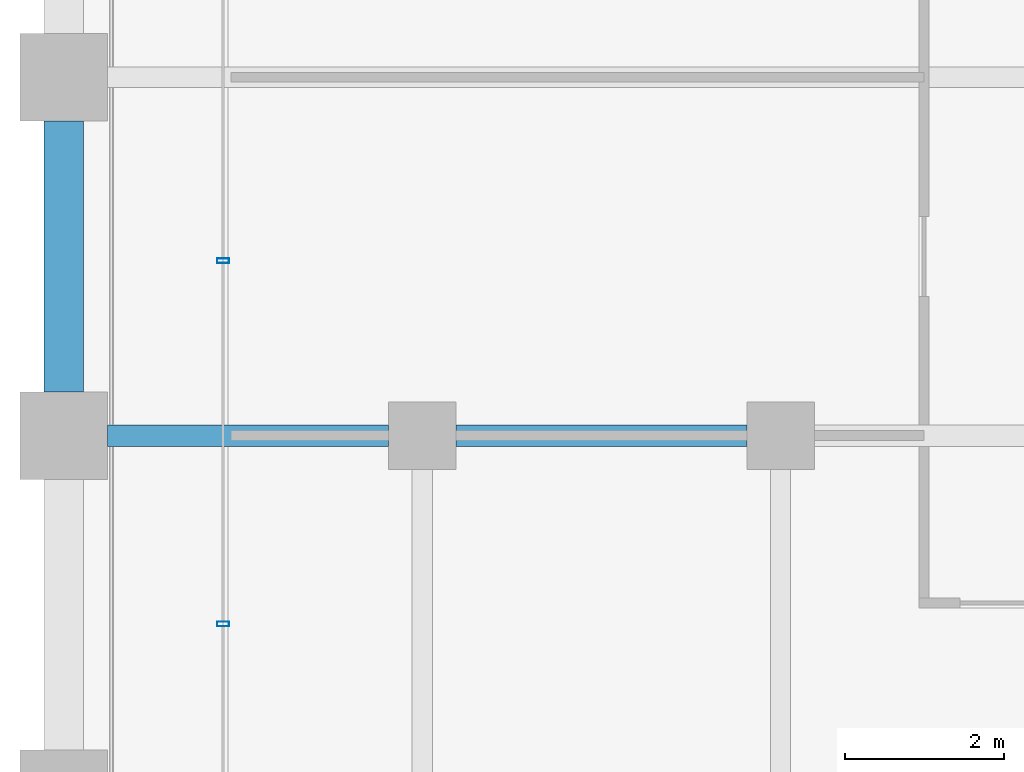
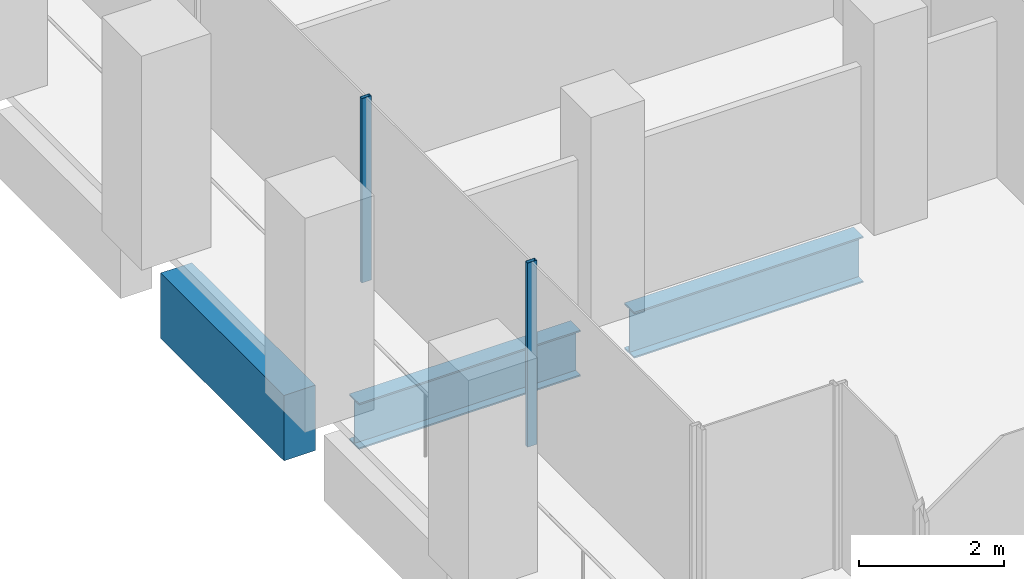
# One storey, part 5 of 56: 3 beams, 2 members, 1 element without a shape of its own.
"""IFC4 building model written with IfcOpenShell, lengths in metres."""

from ifc_helpers import new_model, si_unit, direction, frame, origin, origin_2d, place, context, subcontext, project, spatial, rectangle, hollow_rectangle, i_section, extrude, material, material_profile, profile_set, type_object, element, aggregate, save


model = new_model("IFC4")

# Units and contexts
model_context = context("Model", 3, precision=1e-05, world=origin(), true_north=direction((0.0, 1.0)))
body_context = subcontext(model_context, "Body", "Model", "MODEL_VIEW")
ifc_project = project(units=[si_unit("LENGTHUNIT", "METRE"), si_unit("AREAUNIT", "SQUARE_METRE"), si_unit("VOLUMEUNIT", "CUBIC_METRE"), si_unit("PLANEANGLEUNIT", "RADIAN"), si_unit("MASSUNIT", "GRAM", prefix="KILO")], contexts=[model_context])

# Site, building, storey
site_placement = place(None, origin())
site = spatial("IfcSite", under=ifc_project, at=site_placement, CompositionType="ELEMENT")
building_placement = place(site_placement, origin())
building = spatial("IfcBuilding", under=site, at=building_placement, Name="Altepetl Exchange Towers", CompositionType="ELEMENT")
storey_placement = place(building_placement, frame((0.0, 0.0, 54.60009765625)))
storey = spatial("IfcBuildingStorey", under=building, at=storey_placement, Name="L12", CompositionType="ELEMENT", Elevation=54.60009765625)

# Beams
ifc_material_1 = material(Name="Steel S355", Category="steel")
ifc_material_profile_1 = material_profile(ifc_material_1, i_section(OverallWidth=0.26806640625, OverallDepth=0.77392578125, WebThickness=0.015380859375, FlangeThickness=0.025390625, at=origin_2d()), Name="W30X132")
ifc_profile_set_1 = profile_set([ifc_material_profile_1], Name="Steel S355")
beam_type_1 = type_object("IfcBeamType", Name="Girder W30X132", PredefinedType="BEAM", material=ifc_profile_set_1)
beam_1_placement = place(storey_placement, frame((35.574951171875, 40.5, -0.537109375), z_axis=(-1.0, 0.0, 0.0), x_axis=(0.0, -1.0, 0.0)))
element("IfcBeam", 1, at=beam_1_placement, inside=storey, type_object=beam_type_1, Name="gd:A:L12:010", PredefinedType="BEAM", context=body_context, shape_type="SweptSolid", body=[
    extrude(i_section(OverallWidth=0.26806640625, OverallDepth=0.77392578125, WebThickness=0.015380859375, FlangeThickness=0.025390625, at=origin_2d()), origin(), (0.0, 0.0, 1.0), 3.64990234375),
])
beam_2_placement = place(storey_placement, frame((31.074951171875, 40.5, -0.537109375), z_axis=(-1.0, 0.0, 0.0), x_axis=(0.0, -1.0, 0.0)))
element("IfcBeam", 2, at=beam_2_placement, inside=storey, type_object=beam_type_1, Name="gd:A:L12:011", PredefinedType="BEAM", context=body_context, shape_type="SweptSolid", body=[
    extrude(i_section(OverallWidth=0.26806640625, OverallDepth=0.77392578125, WebThickness=0.015380859375, FlangeThickness=0.025390625, at=origin_2d()), origin(), (0.0, 0.0, 1.0), 3.52490234375),
])

# Curtain wall, members
ifc_material_2 = material(Name="Aluminium 6063-T6 glazing", Category="aluminium")
curtain_wall_type = type_object("IfcCurtainWallType", Name="Loggia glazing system", PredefinedType="NOTDEFINED", material=ifc_material_2)
curtain_wall_placement = place(storey_placement, origin())
curtain_wall = element("IfcCurtainWall", 3, at=curtain_wall_placement, inside=storey, type_object=curtain_wall_type, Name="CW1 run", PredefinedType="NOTDEFINED")
ifc_material_3 = material(Name="Aluminium 6063-T6", Category="aluminium")
ifc_material_profile_2 = material_profile(ifc_material_3, hollow_rectangle(XDim=0.06005859375, YDim=0.14990234375, WallThickness=0.0029296875, at=origin_2d()), Name="Mullion 60x150 aluminium")
ifc_profile_set_2 = profile_set([ifc_material_profile_2], Name="Aluminium 6063-T6")
member_type = type_object("IfcMemberType", Name="Mullion 60x150 aluminium", PredefinedType="MULLION", material=ifc_profile_set_2)
member_1_placement = place(storey_placement, frame((29.0, 42.696533203125, 0.0), z_axis=(0.0, 0.0, 1.0), x_axis=(0.0, -1.0, 0.0)))
member_1 = element("IfcMember", 4, at=member_1_placement, type_object=member_type, Name="MU1 mullion", PredefinedType="MULLION", context=body_context, shape_type="SweptSolid", body=[
    extrude(hollow_rectangle(XDim=0.06005859375, YDim=0.14990234375, WallThickness=0.0029296875, at=origin_2d()), origin(), (0.0, 0.0, 1.0), 3.099853515625),
])
member_2_placement = place(storey_placement, frame((29.0, 38.1357421875, 0.0), z_axis=(0.0, 0.0, 1.0), x_axis=(0.0, -1.0, 0.0)))
member_2 = element("IfcMember", 5, at=member_2_placement, type_object=member_type, Name="MU1 mullion", PredefinedType="MULLION", context=body_context, shape_type="SweptSolid", body=[
    extrude(hollow_rectangle(XDim=0.06005859375, YDim=0.14990234375, WallThickness=0.0029296875, at=origin_2d()), origin(), (0.0, 0.0, 1.0), 3.099853515625),
])
aggregate(curtain_wall, [member_1, member_2])

# Beam
ifc_material_4 = material(Name="Concrete C50/60 precast with tezontle facing", Category="concrete")
ifc_material_profile_3 = material_profile(ifc_material_4, rectangle(XDim=0.5, YDim=1.10009765625, at=origin_2d()), Name="500 x 1100")
ifc_profile_set_3 = profile_set([ifc_material_profile_3], Name="Concrete C50/60 precast with tezontle facing")
beam_type_2 = type_object("IfcBeamType", Name="Spandrel beam 500x1100 tezontle", PredefinedType="SPANDREL", material=ifc_profile_set_3)
beam_3_placement = place(storey_placement, frame((27.0, 44.449951171875, -0.7001953125), z_axis=(0.0, -1.0, 0.0), x_axis=(1.0, 0.0, 0.0)))
element("IfcBeam", 6, at=beam_3_placement, inside=storey, type_object=beam_type_2, Name="sp:A:L12:041", PredefinedType="SPANDREL", context=body_context, shape_type="SweptSolid", body=[
    extrude(rectangle(XDim=0.5, YDim=1.10009765625, at=origin_2d()), origin(), (0.0, 0.0, 1.0), 3.39990234375),
])

save(model, "model.ifc")
